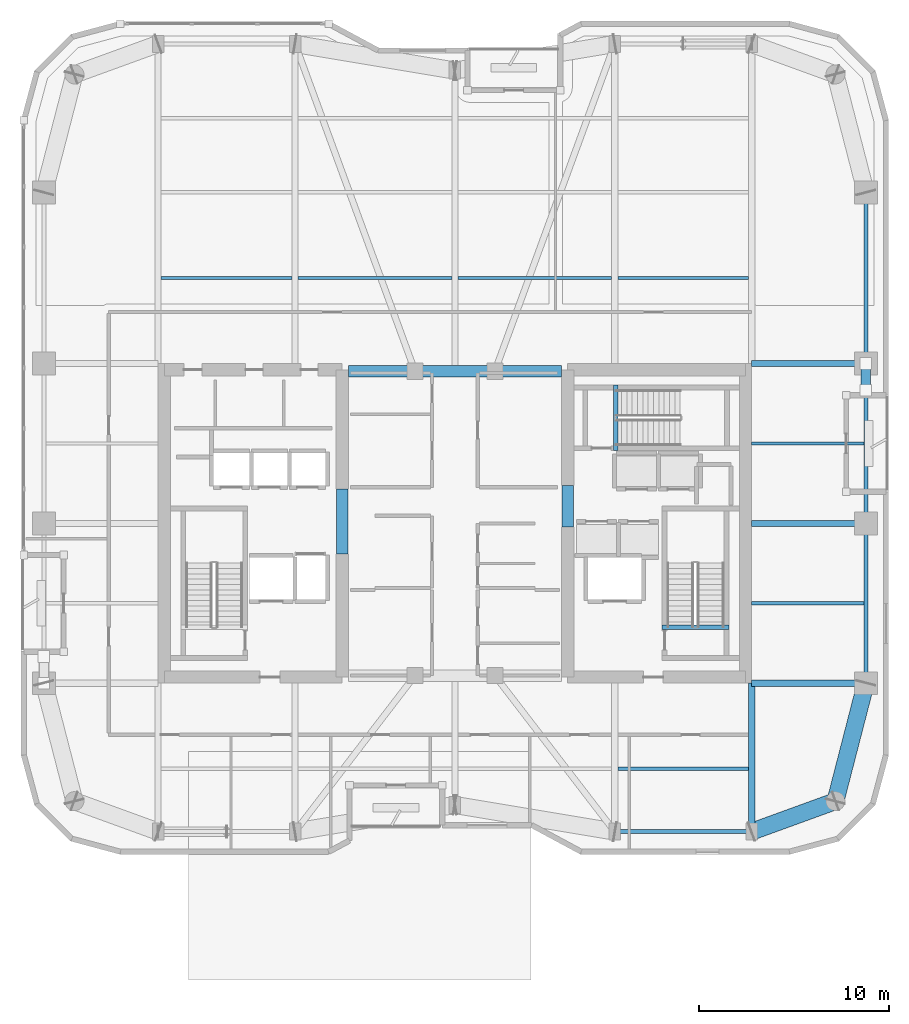
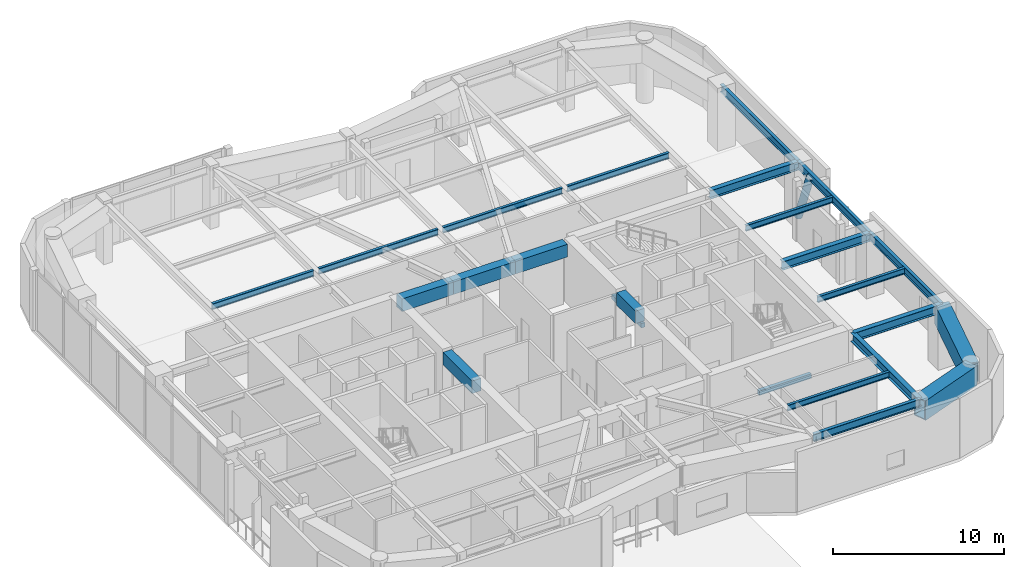
# One storey, part 3 of 18: 24 beams, 1 member.
"""IFC4 building model written with IfcOpenShell, lengths in metres."""

from ifc_helpers import new_model, si_unit, direction, frame, origin, origin_2d, place, context, subcontext, project, spatial, rectangle, hollow_rectangle, hollow_circle, i_section, extrude, material, material_profile, profile_set, type_object, element, save


model = new_model("IFC4")

# Units and contexts
model_context = context("Model", 3, precision=1e-05, world=origin(), true_north=direction((0.0, 1.0)))
body_context = subcontext(model_context, "Body", "Model", "MODEL_VIEW")
ifc_project = project(units=[si_unit("LENGTHUNIT", "METRE"), si_unit("AREAUNIT", "SQUARE_METRE"), si_unit("VOLUMEUNIT", "CUBIC_METRE"), si_unit("PLANEANGLEUNIT", "RADIAN"), si_unit("MASSUNIT", "GRAM", prefix="KILO")], contexts=[model_context])

# Site, building, storey
site_placement = place(None, origin())
site = spatial("IfcSite", under=ifc_project, at=site_placement, CompositionType="ELEMENT")
building_placement = place(site_placement, origin())
building = spatial("IfcBuilding", under=site, at=building_placement, Name="Kiyonajd Concourse Tower", CompositionType="ELEMENT")
storey_placement = place(building_placement, frame((0.0, 0.0, 214.800048828125)))
storey = spatial("IfcBuildingStorey", under=building, at=storey_placement, Name="L54", CompositionType="ELEMENT", Elevation=214.800048828125)

# Beams
ifc_material_1 = material(Name="Concrete C60/75", Category="concrete")
ifc_material_profile_1 = material_profile(ifc_material_1, rectangle(XDim=0.60009765625, YDim=0.89990234375, at=origin_2d()), Name="RCBM-600x900")
ifc_profile_set_1 = profile_set([ifc_material_profile_1], Name="Concrete C60/75")
beam_type_1 = type_object("IfcBeamType", Name="BM-COUP-900", PredefinedType="LINTEL", material=ifc_profile_set_1)
beam_1_placement = place(storey_placement, frame((42.39990234375, 44.0, 3.829833984375), z_axis=(1.0, 0.0, 0.0), x_axis=(0.0, 1.0, 0.0)))
element("IfcBeam", 1, at=beam_1_placement, inside=storey, type_object=beam_type_1, Name="L54 Core Coupling Beam N1", PredefinedType="LINTEL", context=body_context, shape_type="SweptSolid", body=[
    extrude(rectangle(XDim=0.60009765625, YDim=0.89990234375, at=origin_2d()), origin(), (0.0, 0.0, 1.0), 3.5),
])
beam_2_placement = place(storey_placement, frame((45.89990234375, 44.0, 3.829833984375), z_axis=(1.0, 0.0, 0.0), x_axis=(0.0, 1.0, 0.0)))
element("IfcBeam", 2, at=beam_2_placement, inside=storey, type_object=beam_type_1, Name="L54 Core Coupling Beam N2", PredefinedType="LINTEL", context=body_context, shape_type="SweptSolid", body=[
    extrude(rectangle(XDim=0.60009765625, YDim=0.89990234375, at=origin_2d()), origin(), (0.0, 0.0, 1.0), 4.2001953125),
])
beam_3_placement = place(storey_placement, frame((50.10009765625, 44.0, 3.829833984375), z_axis=(1.0, 0.0, 0.0), x_axis=(0.0, 1.0, 0.0)))
element("IfcBeam", 3, at=beam_3_placement, inside=storey, type_object=beam_type_1, Name="L54 Core Coupling Beam N3", PredefinedType="LINTEL", context=body_context, shape_type="SweptSolid", body=[
    extrude(rectangle(XDim=0.60009765625, YDim=0.89990234375, at=origin_2d()), origin(), (0.0, 0.0, 1.0), 3.5),
])
beam_4_placement = place(storey_placement, frame((42.074951171875, 34.39990234375, 3.829833984375), z_axis=(0.0, 1.0, 0.0), x_axis=(-1.0, 0.0, 0.0)))
element("IfcBeam", 4, at=beam_4_placement, inside=storey, type_object=beam_type_1, Name="L54 West Core Throat Coupling Lintel", PredefinedType="LINTEL", context=body_context, shape_type="SweptSolid", body=[
    extrude(rectangle(XDim=0.60009765625, YDim=0.89990234375, at=origin_2d()), origin(), (0.0, 0.0, 1.0), 3.400146484375),
])
beam_5_placement = place(storey_placement, frame((53.925048828125, 35.800048828125, 3.829833984375), z_axis=(0.0, 1.0, 0.0), x_axis=(-1.0, 0.0, 0.0)))
element("IfcBeam", 5, at=beam_5_placement, inside=storey, type_object=beam_type_1, Name="L54 East Core Throat Coupling Lintel", PredefinedType="LINTEL", context=body_context, shape_type="SweptSolid", body=[
    extrude(rectangle(XDim=0.60009765625, YDim=0.89990234375, at=origin_2d()), origin(), (0.0, 0.0, 1.0), 2.199951171875),
])
ifc_material_2 = material(Name="Steel ASTM A992 Grade 50", Category="steel")
ifc_material_profile_2 = material_profile(ifc_material_2, i_section(OverallWidth=0.180908203125, OverallDepth=0.4169921875, WebThickness=0.010986328125, FlangeThickness=0.018310546875, at=origin_2d()), Name="W410X85")
ifc_profile_set_2 = profile_set([ifc_material_profile_2], Name="Steel ASTM A992 Grade 50")
beam_type_2 = type_object("IfcBeamType", Name="BM-JST-410", PredefinedType="JOIST", material=ifc_profile_set_2)
for number, where, z_axis, x_axis, name in (
    (6, (56.56201171875, 23.10009765625, 4.071533203125), (1.0, 0.0, 0.0), (0.0, 1.0, 0.0), "L54 Secondary Floor Joist"),
    (7, (32.56201171875, 48.89990234375, 4.071533203125), (1.0, 0.0, 0.0), (0.0, 1.0, 0.0), "L54 Secondary Floor Joist"),
):
    element("IfcBeam", number, at=place(storey_placement, frame(where, z_axis=z_axis, x_axis=x_axis)), inside=storey, type_object=beam_type_2, Name=name, PredefinedType="JOIST", context=body_context, shape_type="SweptSolid", body=[
        extrude(i_section(OverallWidth=0.180908203125, OverallDepth=0.4169921875, WebThickness=0.010986328125, FlangeThickness=0.018310546875, at=origin_2d()), origin(), (0.0, 0.0, 1.0), 6.8759765625),
    ])
for number, where, z_axis, x_axis, name in (
    (8, (39.761962890625, 48.89990234375, 4.071533203125), (1.0, 0.0, 0.0), (0.0, 1.0, 0.0), "L54 Secondary Floor Joist"),
    (9, (48.162109375, 48.89990234375, 4.071533203125), (1.0, 0.0, 0.0), (0.0, 1.0, 0.0), "L54 Secondary Floor Joist"),
):
    element("IfcBeam", number, at=place(storey_placement, frame(where, z_axis=z_axis, x_axis=x_axis)), inside=storey, type_object=beam_type_2, Name=name, PredefinedType="JOIST", context=body_context, shape_type="SweptSolid", body=[
        extrude(i_section(OverallWidth=0.180908203125, OverallDepth=0.4169921875, WebThickness=0.010986328125, FlangeThickness=0.018310546875, at=origin_2d()), origin(), (0.0, 0.0, 1.0), 8.075927734375),
    ])
beam_6_placement = place(storey_placement, frame((56.56201171875, 48.89990234375, 4.071533203125), z_axis=(1.0, 0.0, 0.0), x_axis=(0.0, 1.0, 0.0)))
element("IfcBeam", 10, at=beam_6_placement, inside=storey, type_object=beam_type_2, Name="L54 Secondary Floor Joist", PredefinedType="JOIST", context=body_context, shape_type="SweptSolid", body=[
    extrude(i_section(OverallWidth=0.180908203125, OverallDepth=0.4169921875, WebThickness=0.010986328125, FlangeThickness=0.018310546875, at=origin_2d()), origin(), (0.0, 0.0, 1.0), 6.8759765625),
])
for number, where, z_axis, x_axis, name in (
    (11, (63.60009765625, 31.800048828125, 4.071533203125), (1.0, 0.0, 0.0), (0.0, 1.0, 0.0), "L54 East Secondary Floor Joist"),
    (12, (63.60009765625, 40.199951171875, 4.071533203125), (1.0, 0.0, 0.0), (0.0, 1.0, 0.0), "L54 East Secondary Floor Joist"),
):
    element("IfcBeam", number, at=place(storey_placement, frame(where, z_axis=z_axis, x_axis=x_axis)), inside=storey, type_object=beam_type_2, Name=name, PredefinedType="JOIST", context=body_context, shape_type="SweptSolid", body=[
        extrude(i_section(OverallWidth=0.180908203125, OverallDepth=0.4169921875, WebThickness=0.010986328125, FlangeThickness=0.018310546875, at=origin_2d()), origin(), (0.0, 0.0, 1.0), 5.892822265625),
    ])
ifc_material_3 = material(Name="Concrete C50/60", Category="concrete")
ifc_material_profile_3 = material_profile(ifc_material_3, rectangle(XDim=0.239990234375, YDim=0.320068359375, at=origin_2d()), Name="RCBM-240x320")
ifc_profile_set_3 = profile_set([ifc_material_profile_3], Name="Concrete C50/60")
beam_type_3 = type_object("IfcBeamType", Name="BM-LNT-250", PredefinedType="LINTEL", material=ifc_profile_set_3)
beam_7_placement = place(storey_placement, frame((58.889892578125, 30.530029296875, -0.16015625), z_axis=(1.0, 0.0, 0.0), x_axis=(0.0, 1.0, 0.0)))
element("IfcBeam", 13, at=beam_7_placement, inside=storey, type_object=beam_type_3, Name="L54 Stair ST2 Threshold Support Beam", PredefinedType="LINTEL", context=body_context, shape_type="SweptSolid", body=[
    extrude(rectangle(XDim=0.239990234375, YDim=0.320068359375, at=origin_2d()), origin(), (0.0, 0.0, 1.0), 3.52001953125),
])
beam_8_placement = place(storey_placement, frame((56.4599609375, 39.820068359375, -0.16015625), z_axis=(0.0, 1.0, 0.0), x_axis=(-1.0, 0.0, 0.0)))
element("IfcBeam", 14, at=beam_8_placement, inside=storey, type_object=beam_type_3, Name="L54 Stair ST3 Threshold Support Beam", PredefinedType="LINTEL", context=body_context, shape_type="SweptSolid", body=[
    extrude(rectangle(XDim=0.239990234375, YDim=0.320068359375, at=origin_2d()), origin(), (0.0, 0.0, 1.0), 3.4599609375),
])
ifc_material_profile_4 = material_profile(ifc_material_2, i_section(OverallWidth=0.214111328125, OverallDepth=0.549072265625, WebThickness=0.0146484375, FlangeThickness=0.023681640625, at=origin_2d()), Name="W530X138")
ifc_profile_set_4 = profile_set([ifc_material_profile_4], Name="Steel ASTM A992 Grade 50")
beam_type_4 = type_object("IfcBeamType", Name="BM-SPAN-530A", PredefinedType="SPANDREL", material=ifc_profile_set_4)
beam_9_placement = place(storey_placement, frame((56.39990234375, 19.800048828125, 4.00537109375), z_axis=(1.0, 0.0, 0.0), x_axis=(0.0, 1.0, 0.0)))
element("IfcBeam", 15, at=beam_9_placement, inside=storey, type_object=beam_type_4, Name="L54 Perimeter Bundled Tube Spandrel", PredefinedType="SPANDREL", context=body_context, shape_type="SweptSolid", body=[
    extrude(i_section(OverallWidth=0.214111328125, OverallDepth=0.549072265625, WebThickness=0.0146484375, FlangeThickness=0.023681640625, at=origin_2d()), origin(), (0.0, 0.0, 1.0), 7.2001953125),
])
for number, where, z_axis, x_axis, name in (
    (16, (69.60009765625, 27.60009765625, 4.00537109375), (0.0, 1.0, 0.0), (-1.0, 0.0, 0.0), "L54 Perimeter Bundled Tube Spandrel"),
    (17, (69.60009765625, 36.0, 4.00537109375), (0.0, 1.0, 0.0), (-1.0, 0.0, 0.0), "L54 Perimeter Bundled Tube Spandrel"),
):
    element("IfcBeam", number, at=place(storey_placement, frame(where, z_axis=z_axis, x_axis=x_axis)), inside=storey, type_object=beam_type_4, Name=name, PredefinedType="SPANDREL", context=body_context, shape_type="SweptSolid", body=[
        extrude(i_section(OverallWidth=0.214111328125, OverallDepth=0.549072265625, WebThickness=0.0146484375, FlangeThickness=0.023681640625, at=origin_2d()), origin(), (0.0, 0.0, 1.0), 8.39990234375),
    ])
beam_10_placement = place(storey_placement, frame((69.60009765625, 44.39990234375, 4.00537109375), z_axis=(0.0, 1.0, 0.0), x_axis=(-1.0, 0.0, 0.0)))
element("IfcBeam", 18, at=beam_10_placement, inside=storey, type_object=beam_type_4, Name="L54 Perimeter Bundled Tube Spandrel", PredefinedType="SPANDREL", context=body_context, shape_type="SweptSolid", body=[
    extrude(i_section(OverallWidth=0.214111328125, OverallDepth=0.549072265625, WebThickness=0.0146484375, FlangeThickness=0.023681640625, at=origin_2d()), origin(), (0.0, 0.0, 1.0), 9.0),
])
ifc_material_profile_5 = material_profile(ifc_material_2, i_section(OverallWidth=0.323974609375, OverallDepth=0.611083984375, WebThickness=0.0126953125, FlangeThickness=0.01904296875, at=origin_2d()), Name="W610X155")
ifc_profile_set_5 = profile_set([ifc_material_profile_5], Name="Steel ASTM A992 Grade 50")
beam_type_5 = type_object("IfcBeamType", Name="BM-TWR-610B", PredefinedType="BEAM", material=ifc_profile_set_5)
beam_11_placement = place(storey_placement, frame((63.60009765625, 19.800048828125, 3.974365234375), z_axis=(0.0, 1.0, 0.0), x_axis=(-1.0, 0.0, 0.0)))
element("IfcBeam", 19, at=beam_11_placement, inside=storey, type_object=beam_type_5, Name="L54 South Lease Girder", PredefinedType="BEAM", context=body_context, shape_type="SweptSolid", body=[
    extrude(i_section(OverallWidth=0.323974609375, OverallDepth=0.611083984375, WebThickness=0.0126953125, FlangeThickness=0.01904296875, at=origin_2d()), origin(), (0.0, 0.0, 1.0), 7.800048828125),
])
for number, where, z_axis, x_axis, name in (
    (20, (63.60009765625, 27.60009765625, 3.974365234375), (1.0, 0.0, 0.0), (0.0, 1.0, 0.0), "L54 East Lease Girder"),
    (21, (63.60009765625, 36.0, 3.974365234375), (1.0, 0.0, 0.0), (0.0, 1.0, 0.0), "L54 East Lease Girder"),
    (22, (63.60009765625, 44.39990234375, 3.974365234375), (1.0, 0.0, 0.0), (0.0, 1.0, 0.0), "L54 East Lease Girder"),
):
    element("IfcBeam", number, at=place(storey_placement, frame(where, z_axis=z_axis, x_axis=x_axis)), inside=storey, type_object=beam_type_5, Name=name, PredefinedType="BEAM", context=body_context, shape_type="SweptSolid", body=[
        extrude(i_section(OverallWidth=0.323974609375, OverallDepth=0.611083984375, WebThickness=0.0126953125, FlangeThickness=0.01904296875, at=origin_2d()), origin(), (0.0, 0.0, 1.0), 6.0),
    ])
ifc_material_4 = material(Name="Steel ASTM A572 Grade 50", Category="steel")
ifc_material_profile_6 = material_profile(ifc_material_4, hollow_rectangle(XDim=0.89990234375, YDim=1.39990234375, WallThickness=0.070068359375, at=origin_2d()), Name="BOX-1400x900x70")
ifc_profile_set_6 = profile_set([ifc_material_profile_6], Name="Steel ASTM A572 Grade 50")
beam_type_6 = type_object("IfcBeamType", Name="BM-XFER-1400", PredefinedType="BEAM", material=ifc_profile_set_6)
beam_12_placement = place(storey_placement, frame((63.60009765625, 19.800048828125, 3.579833984375), z_axis=(0.939801036019, 0.341722127901, 0.0), x_axis=(-0.341722127901, 0.939801036019, 0.0)))
element("IfcBeam", 23, at=beam_12_placement, inside=storey, type_object=beam_type_6, Name="L54 Perimeter Bundled Tube Spandrel", PredefinedType="BEAM", context=body_context, shape_type="SweptSolid", body=[
    extrude(hollow_rectangle(XDim=0.89990234375, YDim=1.39990234375, WallThickness=0.070068359375, at=origin_2d()), origin(), (0.0, 0.0, 1.0), 4.681640625),
])
beam_13_placement = place(storey_placement, frame((68.0, 21.39990234375, 3.579833984375), z_axis=(0.249884937687, 0.968275538221, 0.0), x_axis=(-0.968275538221, 0.249884937687, 0.0)))
element("IfcBeam", 24, at=beam_13_placement, inside=storey, type_object=beam_type_6, Name="L54 Perimeter Bundled Tube Spandrel", PredefinedType="BEAM", context=body_context, shape_type="SweptSolid", body=[
    extrude(hollow_rectangle(XDim=0.89990234375, YDim=1.39990234375, WallThickness=0.070068359375, at=origin_2d()), origin(), (0.0, 0.0, 1.0), 6.4033203125),
])

# Member
ifc_material_5 = material(Name="Steel ASTM A500 Grade C", Category="steel")
ifc_material_profile_7 = material_profile(ifc_material_5, hollow_circle(Radius=0.25390625, WallThickness=0.02197265625, at=origin_2d()), Name="CHS-508x22")
ifc_profile_set_7 = profile_set([ifc_material_profile_7], Name="Steel ASTM A500 Grade C")
member_type = type_object("IfcMemberType", Name="MB-PB-MID", PredefinedType="BRACE", material=ifc_profile_set_7)
member_placement = place(storey_placement, frame((69.60009765625, 44.39990234375, 0.300048828125), z_axis=(0.0, -0.359828366716, 0.933018513486), x_axis=(1.0, 0.0, 0.0)))
element("IfcMember", 25, at=member_placement, inside=storey, type_object=member_type, Name="L54 Upper Zone Hollow Tube Brace PBE", PredefinedType="BRACE", context=body_context, shape_type="SweptSolid", body=[
    extrude(hollow_circle(Radius=0.25390625, WallThickness=0.02197265625, at=origin_2d()), origin(), (0.0, 0.0, 1.0), 3.890380859375),
])

save(model, "model.ifc")
